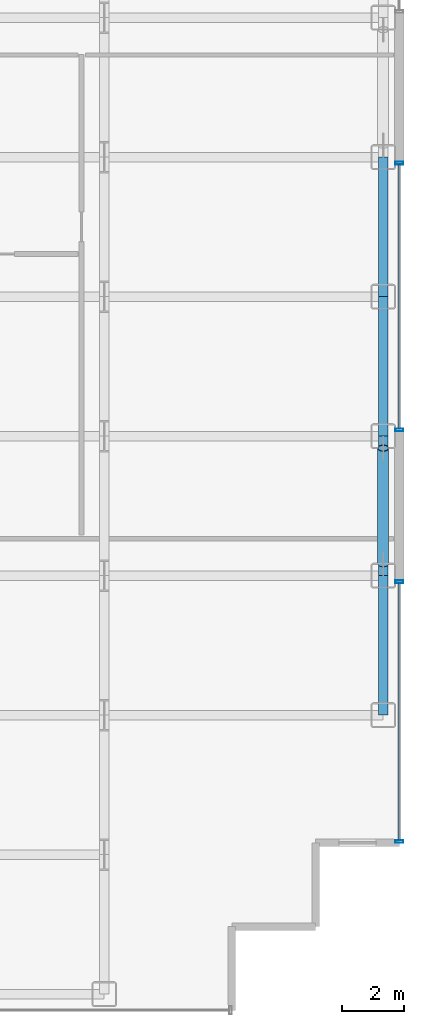
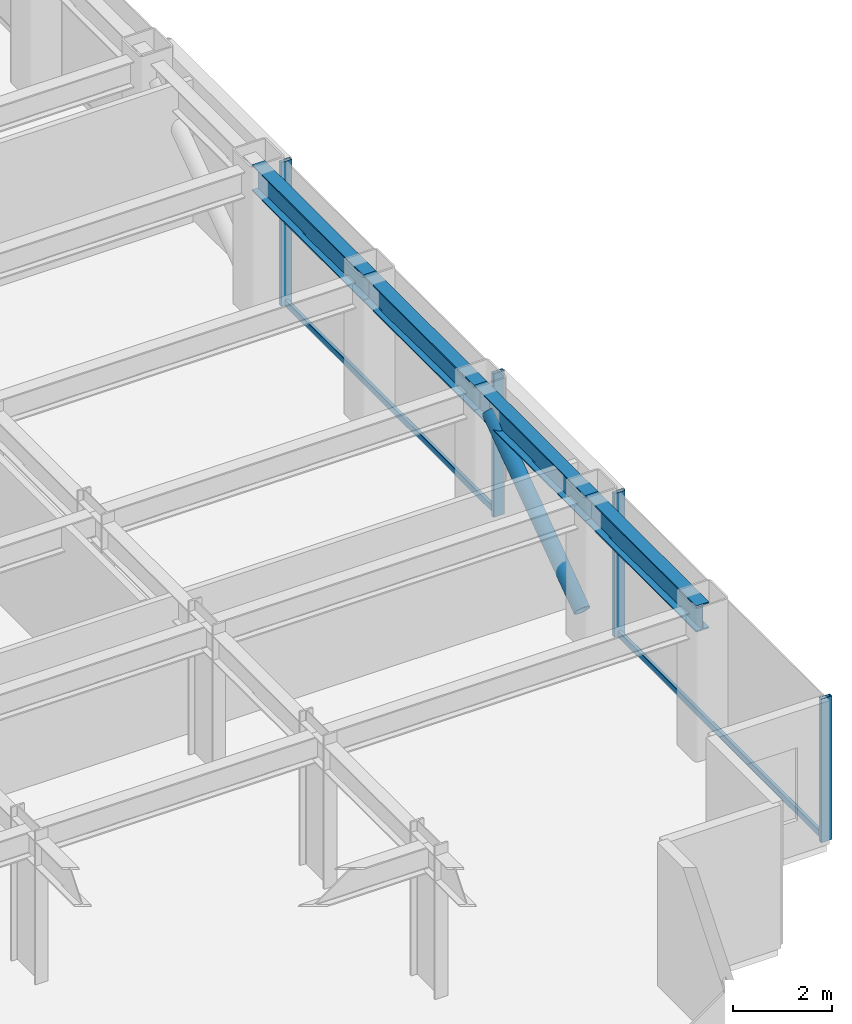
# One storey, part 18 of 29: 7 members, 4 beams, 2 elements without a shape of their own.
"""IFC4 building model written with IfcOpenShell, lengths in metres."""

import ifcopenshell
import ifcopenshell.guid

model = None  # the IFC model being written
_history = None  # IfcOwnerHistory: only IFC2X3 demands one
_inside = {}  # id of a spatial element -> (the spatial element, [elements in it])
_under = {}  # id of a project, library or spatial element -> (it, [spatial elements below it])
_declared = {}  # id of a project -> (the project, [libraries it declares])
_typed = {}  # id of a type object -> (the type object, [elements of that type])
_made_of = {}  # id of a material, layer set ... -> (it, [elements and type objects made of it])


def new_model(schema):
    """Start an empty IFC model of exactly this schema.

    Asked for "IFC4X3", IfcOpenShell would pick the latest addendum, in which some entities
    have other attributes; the version numbers below select the first issue.
    IFC2X3 requires an IfcOwnerHistory on every rooted entity: one is made here for all.
    """
    global model, _history
    if schema == "IFC4X3":
        model = ifcopenshell.file(schema_version=(4, 3, 0, 0))
    else:
        model = ifcopenshell.file(schema=schema)
    _inside.clear()
    _under.clear()
    _declared.clear()
    _typed.clear()
    _made_of.clear()
    _history = None
    if model.schema == "IFC2X3":
        org = make("IfcOrganization", Name="unknown")
        user = make(
            "IfcPersonAndOrganization",
            ThePerson=make("IfcPerson", FamilyName="unknown"),
            TheOrganization=org,
        )
        app = make(
            "IfcApplication",
            ApplicationDeveloper=org,
            Version="unknown",
            ApplicationFullName="unknown",
            ApplicationIdentifier="unknown",
        )
        _history = make(
            "IfcOwnerHistory",
            OwningUser=user,
            OwningApplication=app,
            ChangeAction="ADDED",
            CreationDate=0,
        )
    return model


def make(cls, **values):
    """One entity of the class cls with the attributes given. An attribute that is None is left unset."""
    return model.create_entity(
        cls, **{name: value for name, value in values.items() if value is not None}
    )


def rooted(cls, **values):
    """An entity with a GlobalId (a new one), such as an element, a storey or a relation."""
    return make(cls, GlobalId=ifcopenshell.guid.new(), OwnerHistory=_history, **values)


def si_unit(unit_type, name, prefix=None):
    """IfcSIUnit, for example si_unit("LENGTHUNIT", "METRE", prefix="MILLI")."""
    return make("IfcSIUnit", UnitType=unit_type, Prefix=prefix, Name=name)


def assignment(units):
    """IfcUnitAssignment: the units of a project."""
    return None if units is None else make("IfcUnitAssignment", Units=units)


def point(xyz):
    """IfcCartesianPoint."""
    return None if xyz is None else make("IfcCartesianPoint", Coordinates=xyz)


def direction(xyz):
    """IfcDirection."""
    return None if xyz is None else make("IfcDirection", DirectionRatios=xyz)


def frame(location, z_axis=None, x_axis=None):
    """IfcAxis2Placement3D, a coordinate frame: its origin and axes. An axis left out is left unset."""
    return make(
        "IfcAxis2Placement3D",
        Location=point(location),
        Axis=direction(z_axis),
        RefDirection=direction(x_axis),
    )


def frame_2d(location, x_axis=None):
    """IfcAxis2Placement2D, a coordinate frame in the plane: its origin and x axis."""
    return make(
        "IfcAxis2Placement2D", Location=point(location), RefDirection=direction(x_axis)
    )


def origin():
    """The frame at (0, 0, 0) with its axes left unset."""
    return frame((0.0, 0.0, 0.0))


def origin_2d():
    """The frame at (0, 0) in the plane with its x axis left unset."""
    return frame_2d((0.0, 0.0))


def place(relative_to, where):
    """IfcLocalPlacement: puts the frame where relative to a parent placement (None: the world)."""
    return make(
        "IfcLocalPlacement", PlacementRelTo=relative_to, RelativePlacement=where
    )


def context(
    kind, dimensions, precision=None, world=None, true_north=None, identifier=None
):
    """IfcGeometricRepresentationContext, for example the 3D "Model" context."""
    return make(
        "IfcGeometricRepresentationContext",
        ContextIdentifier=identifier,
        ContextType=kind,
        CoordinateSpaceDimension=dimensions,
        Precision=precision,
        WorldCoordinateSystem=world,
        TrueNorth=true_north,
    )


def subcontext(parent, identifier, kind, view, scale=None):
    """IfcGeometricRepresentationSubContext, for example "Body" below "Model"."""
    return make(
        "IfcGeometricRepresentationSubContext",
        ContextIdentifier=identifier,
        ContextType=kind,
        ParentContext=parent,
        TargetScale=scale,
        TargetView=view,
    )


def project(units=None, contexts=None):
    """IfcProject with its units and contexts."""
    return rooted(
        "IfcProject",
        Name="project",
        RepresentationContexts=contexts,
        UnitsInContext=assignment(units),
    )


def spatial(cls, under=None, at=None, **own):
    """A site, building, storey or space (cls), placed at a placement, below another one or the project."""
    s = rooted(cls, ObjectPlacement=at, **own)
    if under is not None:
        _under.setdefault(under.id(), (under, []))[1].append(s)
    return s


def profile(cls, at=None, kind="AREA", **sizes):
    """A parametric profile (cls). Its sizes go by their IFC names, for example OverallWidth=200.0."""
    return make(cls, ProfileType=kind, Position=at, **sizes)


def hollow_rectangle(**sizes):
    """IfcRectangleHollowProfileDef."""
    return profile("IfcRectangleHollowProfileDef", **sizes)


def hollow_circle(**sizes):
    """IfcCircleHollowProfileDef."""
    return profile("IfcCircleHollowProfileDef", **sizes)


def i_section(**sizes):
    """IfcIShapeProfileDef."""
    return profile("IfcIShapeProfileDef", **sizes)


def extrude(swept, where, along, depth):
    """IfcExtrudedAreaSolid: the profile swept, set in the frame where, extruded along a direction by depth."""
    return make(
        "IfcExtrudedAreaSolid",
        SweptArea=swept,
        Position=where,
        ExtrudedDirection=direction(along),
        Depth=depth,
    )


def shape(context_of_items, identifier, shape_type, items):
    """IfcShapeRepresentation: the items that make up one representation, for example the "Body"."""
    return make(
        "IfcShapeRepresentation",
        ContextOfItems=context_of_items,
        RepresentationIdentifier=identifier,
        RepresentationType=shape_type,
        Items=items,
    )


def source(mapping_origin, context_of_items, identifier, shape_type, items):
    """IfcRepresentationMap: a shape defined once, which mapped items show again and again."""
    return make(
        "IfcRepresentationMap",
        MappingOrigin=mapping_origin,
        MappedRepresentation=shape(context_of_items, identifier, shape_type, items),
    )


def transform(
    local_origin,
    x_axis=None,
    y_axis=None,
    z_axis=None,
    scale=None,
    scale2=None,
    scale3=None,
    uniform=True,
):
    """IfcCartesianTransformationOperator3D, or its non-uniform kind. x_axis, y_axis, z_axis: its Axis1, 2, 3."""
    if uniform:
        return make(
            "IfcCartesianTransformationOperator3D",
            Axis1=direction(x_axis),
            Axis2=direction(y_axis),
            LocalOrigin=point(local_origin),
            Scale=scale,
            Axis3=direction(z_axis),
        )
    return make(
        "IfcCartesianTransformationOperator3DnonUniform",
        Axis1=direction(x_axis),
        Axis2=direction(y_axis),
        LocalOrigin=point(local_origin),
        Scale=scale,
        Axis3=direction(z_axis),
        Scale2=scale2,
        Scale3=scale3,
    )


def mapped(mapping_source, mapping_target):
    """IfcMappedItem: shows the shape of a source again, moved by a transform."""
    return make(
        "IfcMappedItem", MappingSource=mapping_source, MappingTarget=mapping_target
    )


def material(Name=None, Category=None):
    """IfcMaterial."""
    return make("IfcMaterial", Name=Name, Category=Category)


def layer(
    of_material, thickness, ventilated=None, Name=None, Category=None, Priority=None
):
    """IfcMaterialLayer: one layer of a wall or slab, of a material (None: an air gap)."""
    return make(
        "IfcMaterialLayer",
        Material=of_material,
        LayerThickness=thickness,
        IsVentilated=ventilated,
        Name=Name,
        Category=Category,
        Priority=Priority,
    )


def layer_set(layers, Name=None):
    """IfcMaterialLayerSet."""
    return make("IfcMaterialLayerSet", MaterialLayers=layers, LayerSetName=Name)


def material_profile(
    of_material, cross_section, Name=None, Category=None, Priority=None
):
    """IfcMaterialProfile: a cross section and its material."""
    return make(
        "IfcMaterialProfile",
        Name=Name,
        Material=of_material,
        Profile=cross_section,
        Priority=Priority,
        Category=Category,
    )


def profile_set(profiles, Name=None, composite=None):
    """IfcMaterialProfileSet."""
    return make(
        "IfcMaterialProfileSet",
        Name=Name,
        MaterialProfiles=profiles,
        CompositeProfile=composite,
    )


def made_of(thing, what):
    """Note that an element or type object is made of a material, layer set ...; save() writes the relation."""
    if what is not None:
        _made_of.setdefault(what.id(), (what, []))[1].append(thing)
    return thing


def type_object(cls, material=None, **own):
    """A type object (cls), such as IfcWallType, which elements share."""
    return made_of(rooted(cls, **own), material)


def element(
    cls,
    number,
    at=None,
    inside=None,
    cuts=None,
    type_object=None,
    material=None,
    context=None,
    identifier="Body",
    shape_type=None,
    held_by="IfcProductDefinitionShape",
    body=None,
    shapes=None,
    **own,
):
    """One element of the class cls, such as IfcWall. Its Tag is "e" and its number.

    at: its placement. inside: the storey or other place that contains it. cuts: it is an
    opening in that element (IfcRelVoidsElement). A single representation is given by context,
    identifier, shape_type and body (its items); several are given by shapes. held_by: the class
    of the entity that holds the representations. save() writes the other relations.
    """
    e = rooted(cls, Tag="e%d" % number, ObjectPlacement=at, **own)
    if body is not None:
        shapes = [shape(context, identifier, shape_type, body)]
    if shapes is not None:
        e.Representation = make(held_by, Representations=shapes)
    if inside is not None:
        _inside.setdefault(inside.id(), (inside, []))[1].append(e)
    if cuts is not None:
        rooted(
            "IfcRelVoidsElement", RelatingBuildingElement=cuts, RelatedOpeningElement=e
        )
    if type_object is not None:
        _typed.setdefault(type_object.id(), (type_object, []))[1].append(e)
    return made_of(e, material)


def aggregate(whole, parts):
    """IfcRelAggregates: a whole, such as a stair, and the parts it consists of."""
    return rooted("IfcRelAggregates", RelatingObject=whole, RelatedObjects=parts)


def save(model, path):
    """Write the relations noted so far, then the file.

    IfcRelAggregates (storeys below a building ...), IfcRelContainedInSpatialStructure (elements
    in a storey), IfcRelDefinesByType, IfcRelAssociatesMaterial and IfcRelDeclares: one each for
    every whole, place, type object, material and project.
    """
    for whole, parts in _under.values():
        aggregate(whole, parts)
    for where, things in _inside.values():
        rooted(
            "IfcRelContainedInSpatialStructure",
            RelatedElements=things,
            RelatingStructure=where,
        )
    for kind, things in _typed.values():
        rooted("IfcRelDefinesByType", RelatedObjects=things, RelatingType=kind)
    for what, things in _made_of.values():
        rooted("IfcRelAssociatesMaterial", RelatedObjects=things, RelatingMaterial=what)
    for by, libraries in _declared.values():
        rooted("IfcRelDeclares", RelatingContext=by, RelatedDefinitions=libraries)
    model.write(path)


model = new_model("IFC4")

# Units and contexts
model_context = context("Model", 3, precision=1e-05, world=origin(), true_north=direction((0.0, 1.0)))
body_context = subcontext(model_context, "Body", "Model", "MODEL_VIEW")
ifc_project = project(units=[si_unit("LENGTHUNIT", "METRE"), si_unit("AREAUNIT", "SQUARE_METRE"), si_unit("VOLUMEUNIT", "CUBIC_METRE"), si_unit("PLANEANGLEUNIT", "RADIAN"), si_unit("MASSUNIT", "GRAM", prefix="KILO")], contexts=[model_context])

# Site, building, storey
site_placement = place(None, origin())
site = spatial("IfcSite", under=ifc_project, at=site_placement, CompositionType="ELEMENT")
building_placement = place(site_placement, origin())
building = spatial("IfcBuilding", under=site, at=building_placement, Name="Nefas-Gora Pilgrimage Tower", CompositionType="ELEMENT")
storey_placement = place(building_placement, frame((0.0, 0.0, 113.60009765625)))
storey = spatial("IfcBuildingStorey", under=building, at=storey_placement, Name="L27", CompositionType="ELEMENT", Elevation=113.60009765625)

# Beams
ifc_material_1 = material(Name="Steel S355", Category="steel")
ifc_material_profile_1 = material_profile(ifc_material_1, i_section(OverallWidth=0.300048828125, OverallDepth=0.64990234375, WebThickness=0.01611328125, FlangeThickness=0.031005859375, FilletRadius=0.027099609375, at=origin_2d()), Name="HEB 650")
ifc_profile_set_1 = profile_set([ifc_material_profile_1], Name="Steel S355")
beam_type = type_object("IfcBeamType", Name="BM-SPN-HEB500", PredefinedType="SPANDREL", material=ifc_profile_set_1)
shared_shape_1 = source(origin(), body_context, "Body", "SweptSolid", [
    extrude(i_section(OverallWidth=0.300048828125, OverallDepth=0.64990234375, WebThickness=0.01611328125, FlangeThickness=0.031005859375, FilletRadius=0.027099609375, at=origin_2d()), origin(), (0.0, 0.0, 1.0), 4.5),
])
for number, where, z_axis, x_axis, name in (
    (1, (33.75, -13.5, 3.224853515625), (0.0, 1.0, 0.0), (-1.0, 0.0, 0.0), "L27 SP-02 beam"),
    (2, (33.75, -9.0, 3.224853515625), (0.0, 1.0, 0.0), (-1.0, 0.0, 0.0), "L27 SP-02 beam"),
    (3, (33.75, -4.5, 3.224853515625), (0.0, 1.0, 0.0), (-1.0, 0.0, 0.0), "L27 SP-02 beam"),
    (4, (33.75, 0.0, 3.224853515625), (0.0, 1.0, 0.0), (-1.0, 0.0, 0.0), "L27 SP-02 beam"),
):
    element("IfcBeam", number, at=place(storey_placement, frame(where, z_axis=z_axis, x_axis=x_axis)), inside=storey, type_object=beam_type, Name=name, PredefinedType="SPANDREL", context=body_context, shape_type="MappedRepresentation", body=[
        mapped(shared_shape_1, transform((0.0, 0.0, 0.0), x_axis=(1.0, 0.0, 0.0), y_axis=(0.0, 1.0, 0.0), z_axis=(0.0, 0.0, 1.0), scale=1.0)),
    ])

# Member
ifc_material_2 = material(Name="Steel S460", Category="steel")
ifc_material_profile_2 = material_profile(ifc_material_2, hollow_circle(Radius=0.177734375, WallThickness=0.02001953125, at=origin_2d()), Name="CHS 355.6x20")
ifc_profile_set_2 = profile_set([ifc_material_profile_2], Name="Steel S460")
member_type_1 = type_object("IfcMemberType", Name="MEM-TUBE-356", PredefinedType="BRACE", material=ifc_profile_set_2)
shared_shape_2 = source(origin(), body_context, "Body", "SweptSolid", [
    extrude(hollow_circle(Radius=0.177734375, WallThickness=0.02001953125, at=origin_2d()), origin(), (0.0, 0.0, 1.0), 4.579345703125),
])
member_1_placement = place(storey_placement, frame((33.75, -8.612060546875, 0.427490234375), z_axis=(0.0, 0.813246879171, 0.581918820385), x_axis=(-1.0, 0.0, 0.0)))
element("IfcMember", 5, at=member_1_placement, inside=storey, type_object=member_type_1, Name="L27 Perimeter Tube Diagonal Brace E1", PredefinedType="BRACE", context=body_context, shape_type="MappedRepresentation", body=[
    mapped(shared_shape_2, transform((0.0, 0.0, 0.0), x_axis=(1.0, 0.0, 0.0), y_axis=(0.0, 1.0, 0.0), z_axis=(0.0, 0.0, 1.0), scale=1.0)),
])

# Curtain wall, member
ifc_material_3 = material(Name="Dark ceramic-fritted solar-control aluminium-glass curtain wall", Category="aluminium")
ifc_layer = layer(ifc_material_3, 0.219970703125)
ifc_layer_set = layer_set([ifc_layer], Name="Dark ceramic-fritted solar-control aluminium-glass curtain wall")
curtain_wall_type = type_object("IfcCurtainWallType", Name="CW-SYS-2", PredefinedType="NOTDEFINED", material=ifc_layer_set)
curtain_wall_1_placement = place(storey_placement, origin())
curtain_wall_1 = element("IfcCurtainWall", 6, at=curtain_wall_1_placement, inside=storey, type_object=curtain_wall_type, Name="L27 Unitised Curtain Wall CW2", PredefinedType="NOTDEFINED")
ifc_material_4 = material(Name="Anodised architectural aluminium", Category="aluminium")
ifc_material_profile_3 = material_profile(ifc_material_4, hollow_rectangle(XDim=0.080078125, YDim=0.159912109375, WallThickness=0.00439453125, InnerFilletRadius=0.00439453125, OuterFilletRadius=0.009033203125, at=origin_2d()), Name="ALU TRANSOM 80x160")
ifc_profile_set_3 = profile_set([ifc_material_profile_3], Name="Anodised architectural aluminium")
member_type_2 = type_object("IfcMemberType", Name="CWM-TRN-2", PredefinedType="USERDEFINED", material=ifc_profile_set_3)
shared_shape_3 = source(origin(), body_context, "Body", "SweptSolid", [
    extrude(hollow_rectangle(XDim=0.080078125, YDim=0.159912109375, WallThickness=0.00439453125, InnerFilletRadius=0.00439453125, OuterFilletRadius=0.009033203125, at=origin_2d()), origin(), (0.0, 0.0, 1.0), 8.2900390625),
])
member_2_placement = place(storey_placement, frame((34.27001953125, -17.530029296875, 0.0498046875), z_axis=(0.0, 1.0, 0.0), x_axis=(-1.0, 0.0, 0.0)))
member_2 = element("IfcMember", 7, at=member_2_placement, type_object=member_type_2, Name="CW2 Spandrel Transom", ObjectType="TRANSOM", PredefinedType="USERDEFINED", context=body_context, shape_type="MappedRepresentation", body=[
    mapped(shared_shape_3, transform((0.0, 0.0, 0.0), x_axis=(1.0, 0.0, 0.0), y_axis=(0.0, 1.0, 0.0), z_axis=(0.0, 0.0, 1.0), scale=1.0)),
])

curtain_wall_2_placement = place(storey_placement, origin())
curtain_wall_2 = element("IfcCurtainWall", 8, at=curtain_wall_2_placement, inside=storey, type_object=curtain_wall_type, Name="L27 Unitised Curtain Wall CW2", PredefinedType="NOTDEFINED")
shared_shape_4 = source(origin(), body_context, "Body", "SweptSolid", [
    extrude(hollow_rectangle(XDim=0.080078125, YDim=0.159912109375, WallThickness=0.00439453125, InnerFilletRadius=0.00439453125, OuterFilletRadius=0.009033203125, at=origin_2d()), origin(), (0.0, 0.0, 1.0), 8.52001953125),
])
member_3_placement = place(storey_placement, frame((34.27001953125, -4.260009765625, 0.0498046875), z_axis=(0.0, 1.0, 0.0), x_axis=(-1.0, 0.0, 0.0)))
member_3 = element("IfcMember", 9, at=member_3_placement, type_object=member_type_2, Name="CW2 Spandrel Transom", ObjectType="TRANSOM", PredefinedType="USERDEFINED", context=body_context, shape_type="MappedRepresentation", body=[
    mapped(shared_shape_4, transform((0.0, 0.0, 0.0), x_axis=(1.0, 0.0, 0.0), y_axis=(0.0, 1.0, 0.0), z_axis=(0.0, 0.0, 1.0), scale=1.0)),
])

# Member
ifc_material_profile_4 = material_profile(ifc_material_4, hollow_rectangle(XDim=0.090087890625, YDim=0.260009765625, WallThickness=0.006103515625, InnerFilletRadius=0.006103515625, OuterFilletRadius=0.011962890625, at=origin_2d()), Name="ALU MULLION 90x260")
ifc_profile_set_4 = profile_set([ifc_material_profile_4], Name="Anodised architectural aluminium")
member_type_3 = type_object("IfcMemberType", Name="CWM-MUL-2", PredefinedType="MULLION", material=ifc_profile_set_4)
shared_shape_5 = source(origin(), body_context, "Body", "SweptSolid", [
    extrude(hollow_rectangle(XDim=0.090087890625, YDim=0.260009765625, WallThickness=0.006103515625, InnerFilletRadius=0.006103515625, OuterFilletRadius=0.011962890625, at=origin_2d()), origin(), (0.0, 0.0, 1.0), 3.5498046875),
])
member_4_placement = place(storey_placement, frame((34.27001953125, -17.574951171875, 0.0), z_axis=(0.0, 0.0, 1.0), x_axis=(0.0, 1.0, 0.0)))
member_4 = element("IfcMember", 10, at=member_4_placement, type_object=member_type_3, Name="CW2 Mullion 1", PredefinedType="MULLION", context=body_context, shape_type="MappedRepresentation", body=[
    mapped(shared_shape_5, transform((0.0, 0.0, 0.0), x_axis=(1.0, 0.0, 0.0), y_axis=(0.0, 1.0, 0.0), z_axis=(0.0, 0.0, 1.0), scale=1.0)),
])

member_5_placement = place(storey_placement, frame((34.27001953125, -9.195068359375, 0.0), z_axis=(0.0, 0.0, 1.0), x_axis=(0.0, 1.0, 0.0)))
member_5 = element("IfcMember", 11, at=member_5_placement, type_object=member_type_3, Name="CW2 Mullion 2", PredefinedType="MULLION", context=body_context, shape_type="MappedRepresentation", body=[
    mapped(shared_shape_5, transform((0.0, 0.0, 0.0), x_axis=(1.0, 0.0, 0.0), y_axis=(0.0, 1.0, 0.0), z_axis=(0.0, 0.0, 1.0), scale=1.0)),
])

aggregate(curtain_wall_1, [member_4, member_5, member_2])

member_6_placement = place(storey_placement, frame((34.27001953125, -4.304931640625, 0.0), z_axis=(0.0, 0.0, 1.0), x_axis=(0.0, 1.0, 0.0)))
member_6 = element("IfcMember", 12, at=member_6_placement, type_object=member_type_3, Name="CW2 Mullion 1", PredefinedType="MULLION", context=body_context, shape_type="MappedRepresentation", body=[
    mapped(shared_shape_5, transform((0.0, 0.0, 0.0), x_axis=(1.0, 0.0, 0.0), y_axis=(0.0, 1.0, 0.0), z_axis=(0.0, 0.0, 1.0), scale=1.0)),
])

member_7_placement = place(storey_placement, frame((34.27001953125, 4.304931640625, 0.0), z_axis=(0.0, 0.0, 1.0), x_axis=(0.0, 1.0, 0.0)))
member_7 = element("IfcMember", 13, at=member_7_placement, type_object=member_type_3, Name="CW2 Mullion 2", PredefinedType="MULLION", context=body_context, shape_type="MappedRepresentation", body=[
    mapped(shared_shape_5, transform((0.0, 0.0, 0.0), x_axis=(1.0, 0.0, 0.0), y_axis=(0.0, 1.0, 0.0), z_axis=(0.0, 0.0, 1.0), scale=1.0)),
])

aggregate(curtain_wall_2, [member_6, member_7, member_3])

save(model, "model.ifc")
